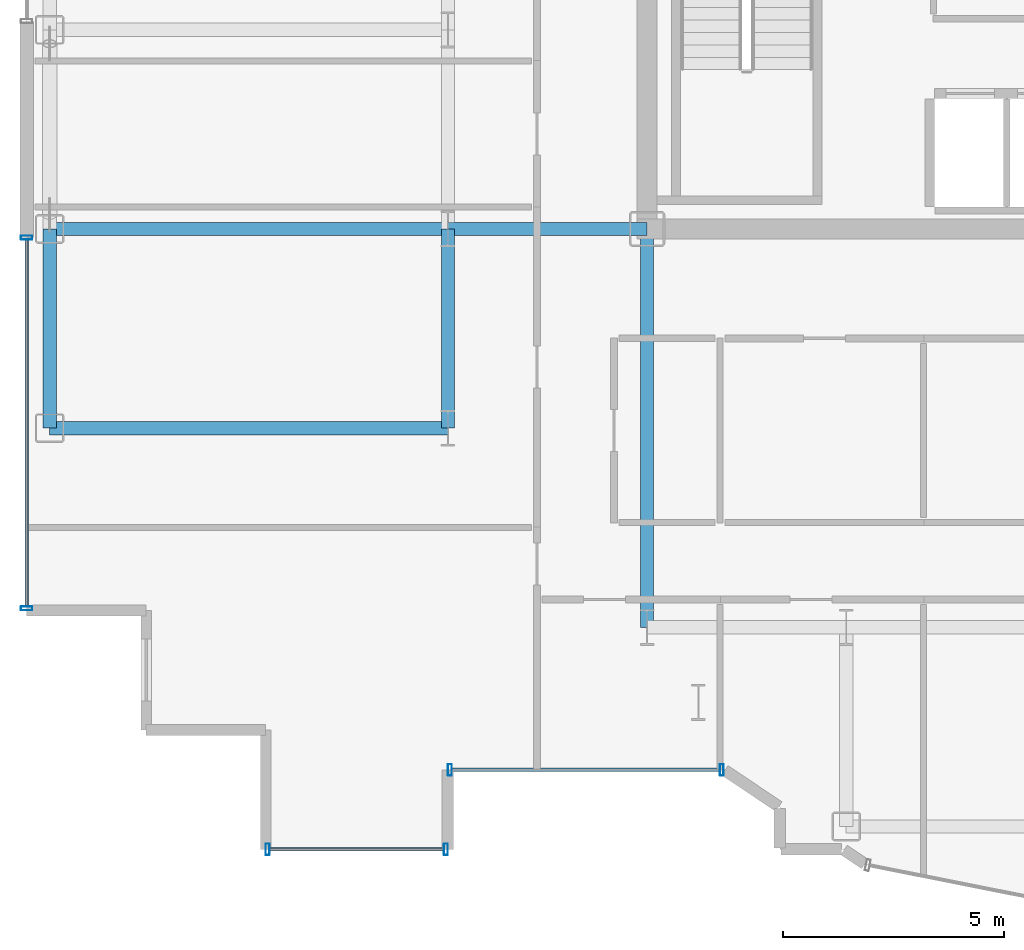
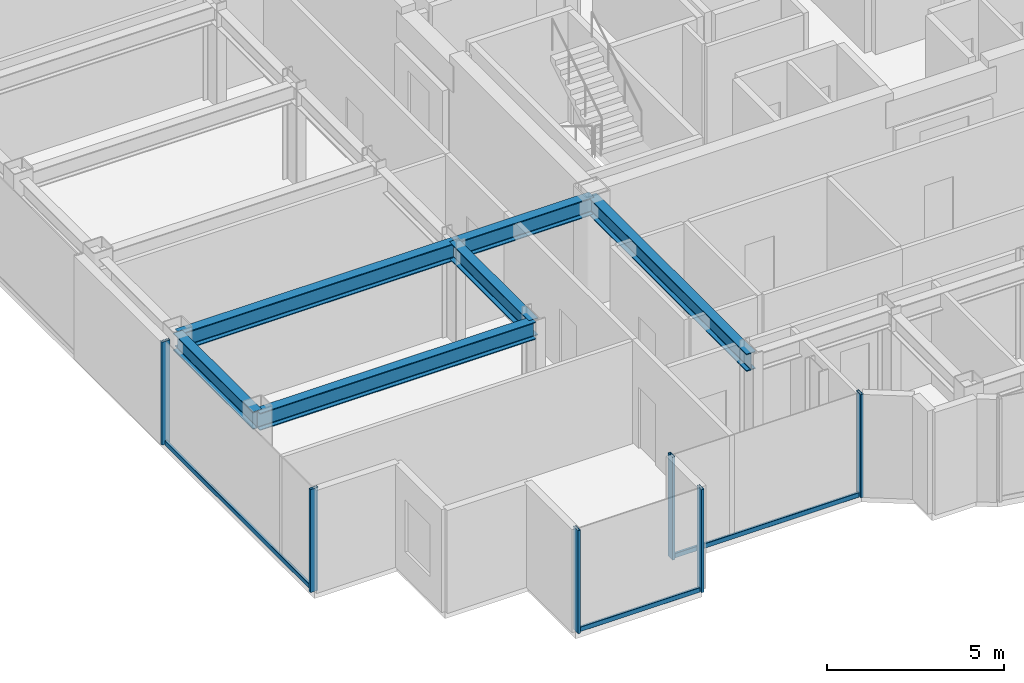
# One storey, part 2 of 21: 9 members, 6 beams, 3 elements without a shape of their own.
"""IFC4 building model written with IfcOpenShell, lengths in metres."""

import ifcopenshell
import ifcopenshell.guid

model = None  # the IFC model being written
_history = None  # IfcOwnerHistory: only IFC2X3 demands one
_inside = {}  # id of a spatial element -> (the spatial element, [elements in it])
_under = {}  # id of a project, library or spatial element -> (it, [spatial elements below it])
_declared = {}  # id of a project -> (the project, [libraries it declares])
_typed = {}  # id of a type object -> (the type object, [elements of that type])
_made_of = {}  # id of a material, layer set ... -> (it, [elements and type objects made of it])


def new_model(schema):
    """Start an empty IFC model of exactly this schema.

    Asked for "IFC4X3", IfcOpenShell would pick the latest addendum, in which some entities
    have other attributes; the version numbers below select the first issue.
    IFC2X3 requires an IfcOwnerHistory on every rooted entity: one is made here for all.
    """
    global model, _history
    if schema == "IFC4X3":
        model = ifcopenshell.file(schema_version=(4, 3, 0, 0))
    else:
        model = ifcopenshell.file(schema=schema)
    _inside.clear()
    _under.clear()
    _declared.clear()
    _typed.clear()
    _made_of.clear()
    _history = None
    if model.schema == "IFC2X3":
        org = make("IfcOrganization", Name="unknown")
        user = make(
            "IfcPersonAndOrganization",
            ThePerson=make("IfcPerson", FamilyName="unknown"),
            TheOrganization=org,
        )
        app = make(
            "IfcApplication",
            ApplicationDeveloper=org,
            Version="unknown",
            ApplicationFullName="unknown",
            ApplicationIdentifier="unknown",
        )
        _history = make(
            "IfcOwnerHistory",
            OwningUser=user,
            OwningApplication=app,
            ChangeAction="ADDED",
            CreationDate=0,
        )
    return model


def make(cls, **values):
    """One entity of the class cls with the attributes given. An attribute that is None is left unset."""
    return model.create_entity(
        cls, **{name: value for name, value in values.items() if value is not None}
    )


def rooted(cls, **values):
    """An entity with a GlobalId (a new one), such as an element, a storey or a relation."""
    return make(cls, GlobalId=ifcopenshell.guid.new(), OwnerHistory=_history, **values)


def si_unit(unit_type, name, prefix=None):
    """IfcSIUnit, for example si_unit("LENGTHUNIT", "METRE", prefix="MILLI")."""
    return make("IfcSIUnit", UnitType=unit_type, Prefix=prefix, Name=name)


def assignment(units):
    """IfcUnitAssignment: the units of a project."""
    return None if units is None else make("IfcUnitAssignment", Units=units)


def point(xyz):
    """IfcCartesianPoint."""
    return None if xyz is None else make("IfcCartesianPoint", Coordinates=xyz)


def direction(xyz):
    """IfcDirection."""
    return None if xyz is None else make("IfcDirection", DirectionRatios=xyz)


def frame(location, z_axis=None, x_axis=None):
    """IfcAxis2Placement3D, a coordinate frame: its origin and axes. An axis left out is left unset."""
    return make(
        "IfcAxis2Placement3D",
        Location=point(location),
        Axis=direction(z_axis),
        RefDirection=direction(x_axis),
    )


def frame_2d(location, x_axis=None):
    """IfcAxis2Placement2D, a coordinate frame in the plane: its origin and x axis."""
    return make(
        "IfcAxis2Placement2D", Location=point(location), RefDirection=direction(x_axis)
    )


def origin():
    """The frame at (0, 0, 0) with its axes left unset."""
    return frame((0.0, 0.0, 0.0))


def origin_2d():
    """The frame at (0, 0) in the plane with its x axis left unset."""
    return frame_2d((0.0, 0.0))


def place(relative_to, where):
    """IfcLocalPlacement: puts the frame where relative to a parent placement (None: the world)."""
    return make(
        "IfcLocalPlacement", PlacementRelTo=relative_to, RelativePlacement=where
    )


def context(
    kind, dimensions, precision=None, world=None, true_north=None, identifier=None
):
    """IfcGeometricRepresentationContext, for example the 3D "Model" context."""
    return make(
        "IfcGeometricRepresentationContext",
        ContextIdentifier=identifier,
        ContextType=kind,
        CoordinateSpaceDimension=dimensions,
        Precision=precision,
        WorldCoordinateSystem=world,
        TrueNorth=true_north,
    )


def subcontext(parent, identifier, kind, view, scale=None):
    """IfcGeometricRepresentationSubContext, for example "Body" below "Model"."""
    return make(
        "IfcGeometricRepresentationSubContext",
        ContextIdentifier=identifier,
        ContextType=kind,
        ParentContext=parent,
        TargetScale=scale,
        TargetView=view,
    )


def project(units=None, contexts=None):
    """IfcProject with its units and contexts."""
    return rooted(
        "IfcProject",
        Name="project",
        RepresentationContexts=contexts,
        UnitsInContext=assignment(units),
    )


def spatial(cls, under=None, at=None, **own):
    """A site, building, storey or space (cls), placed at a placement, below another one or the project."""
    s = rooted(cls, ObjectPlacement=at, **own)
    if under is not None:
        _under.setdefault(under.id(), (under, []))[1].append(s)
    return s


def profile(cls, at=None, kind="AREA", **sizes):
    """A parametric profile (cls). Its sizes go by their IFC names, for example OverallWidth=200.0."""
    return make(cls, ProfileType=kind, Position=at, **sizes)


def hollow_rectangle(**sizes):
    """IfcRectangleHollowProfileDef."""
    return profile("IfcRectangleHollowProfileDef", **sizes)


def i_section(**sizes):
    """IfcIShapeProfileDef."""
    return profile("IfcIShapeProfileDef", **sizes)


def extrude(swept, where, along, depth):
    """IfcExtrudedAreaSolid: the profile swept, set in the frame where, extruded along a direction by depth."""
    return make(
        "IfcExtrudedAreaSolid",
        SweptArea=swept,
        Position=where,
        ExtrudedDirection=direction(along),
        Depth=depth,
    )


def shape(context_of_items, identifier, shape_type, items):
    """IfcShapeRepresentation: the items that make up one representation, for example the "Body"."""
    return make(
        "IfcShapeRepresentation",
        ContextOfItems=context_of_items,
        RepresentationIdentifier=identifier,
        RepresentationType=shape_type,
        Items=items,
    )


def source(mapping_origin, context_of_items, identifier, shape_type, items):
    """IfcRepresentationMap: a shape defined once, which mapped items show again and again."""
    return make(
        "IfcRepresentationMap",
        MappingOrigin=mapping_origin,
        MappedRepresentation=shape(context_of_items, identifier, shape_type, items),
    )


def transform(
    local_origin,
    x_axis=None,
    y_axis=None,
    z_axis=None,
    scale=None,
    scale2=None,
    scale3=None,
    uniform=True,
):
    """IfcCartesianTransformationOperator3D, or its non-uniform kind. x_axis, y_axis, z_axis: its Axis1, 2, 3."""
    if uniform:
        return make(
            "IfcCartesianTransformationOperator3D",
            Axis1=direction(x_axis),
            Axis2=direction(y_axis),
            LocalOrigin=point(local_origin),
            Scale=scale,
            Axis3=direction(z_axis),
        )
    return make(
        "IfcCartesianTransformationOperator3DnonUniform",
        Axis1=direction(x_axis),
        Axis2=direction(y_axis),
        LocalOrigin=point(local_origin),
        Scale=scale,
        Axis3=direction(z_axis),
        Scale2=scale2,
        Scale3=scale3,
    )


def mapped(mapping_source, mapping_target):
    """IfcMappedItem: shows the shape of a source again, moved by a transform."""
    return make(
        "IfcMappedItem", MappingSource=mapping_source, MappingTarget=mapping_target
    )


def material(Name=None, Category=None):
    """IfcMaterial."""
    return make("IfcMaterial", Name=Name, Category=Category)


def layer(
    of_material, thickness, ventilated=None, Name=None, Category=None, Priority=None
):
    """IfcMaterialLayer: one layer of a wall or slab, of a material (None: an air gap)."""
    return make(
        "IfcMaterialLayer",
        Material=of_material,
        LayerThickness=thickness,
        IsVentilated=ventilated,
        Name=Name,
        Category=Category,
        Priority=Priority,
    )


def layer_set(layers, Name=None):
    """IfcMaterialLayerSet."""
    return make("IfcMaterialLayerSet", MaterialLayers=layers, LayerSetName=Name)


def material_profile(
    of_material, cross_section, Name=None, Category=None, Priority=None
):
    """IfcMaterialProfile: a cross section and its material."""
    return make(
        "IfcMaterialProfile",
        Name=Name,
        Material=of_material,
        Profile=cross_section,
        Priority=Priority,
        Category=Category,
    )


def profile_set(profiles, Name=None, composite=None):
    """IfcMaterialProfileSet."""
    return make(
        "IfcMaterialProfileSet",
        Name=Name,
        MaterialProfiles=profiles,
        CompositeProfile=composite,
    )


def made_of(thing, what):
    """Note that an element or type object is made of a material, layer set ...; save() writes the relation."""
    if what is not None:
        _made_of.setdefault(what.id(), (what, []))[1].append(thing)
    return thing


def type_object(cls, material=None, **own):
    """A type object (cls), such as IfcWallType, which elements share."""
    return made_of(rooted(cls, **own), material)


def element(
    cls,
    number,
    at=None,
    inside=None,
    cuts=None,
    type_object=None,
    material=None,
    context=None,
    identifier="Body",
    shape_type=None,
    held_by="IfcProductDefinitionShape",
    body=None,
    shapes=None,
    **own,
):
    """One element of the class cls, such as IfcWall. Its Tag is "e" and its number.

    at: its placement. inside: the storey or other place that contains it. cuts: it is an
    opening in that element (IfcRelVoidsElement). A single representation is given by context,
    identifier, shape_type and body (its items); several are given by shapes. held_by: the class
    of the entity that holds the representations. save() writes the other relations.
    """
    e = rooted(cls, Tag="e%d" % number, ObjectPlacement=at, **own)
    if body is not None:
        shapes = [shape(context, identifier, shape_type, body)]
    if shapes is not None:
        e.Representation = make(held_by, Representations=shapes)
    if inside is not None:
        _inside.setdefault(inside.id(), (inside, []))[1].append(e)
    if cuts is not None:
        rooted(
            "IfcRelVoidsElement", RelatingBuildingElement=cuts, RelatedOpeningElement=e
        )
    if type_object is not None:
        _typed.setdefault(type_object.id(), (type_object, []))[1].append(e)
    return made_of(e, material)


def aggregate(whole, parts):
    """IfcRelAggregates: a whole, such as a stair, and the parts it consists of."""
    return rooted("IfcRelAggregates", RelatingObject=whole, RelatedObjects=parts)


def save(model, path):
    """Write the relations noted so far, then the file.

    IfcRelAggregates (storeys below a building ...), IfcRelContainedInSpatialStructure (elements
    in a storey), IfcRelDefinesByType, IfcRelAssociatesMaterial and IfcRelDeclares: one each for
    every whole, place, type object, material and project.
    """
    for whole, parts in _under.values():
        aggregate(whole, parts)
    for where, things in _inside.values():
        rooted(
            "IfcRelContainedInSpatialStructure",
            RelatedElements=things,
            RelatingStructure=where,
        )
    for kind, things in _typed.values():
        rooted("IfcRelDefinesByType", RelatedObjects=things, RelatingType=kind)
    for what, things in _made_of.values():
        rooted("IfcRelAssociatesMaterial", RelatedObjects=things, RelatingMaterial=what)
    for by, libraries in _declared.values():
        rooted("IfcRelDeclares", RelatingContext=by, RelatedDefinitions=libraries)
    model.write(path)


model = new_model("IFC4")

# Units and contexts
model_context = context("Model", 3, precision=1e-05, world=origin(), true_north=direction((0.0, 1.0)))
body_context = subcontext(model_context, "Body", "Model", "MODEL_VIEW")
ifc_project = project(units=[si_unit("LENGTHUNIT", "METRE"), si_unit("AREAUNIT", "SQUARE_METRE"), si_unit("VOLUMEUNIT", "CUBIC_METRE"), si_unit("PLANEANGLEUNIT", "RADIAN"), si_unit("MASSUNIT", "GRAM", prefix="KILO")], contexts=[model_context])

# Site, building, storey
site_placement = place(None, origin())
site = spatial("IfcSite", under=ifc_project, at=site_placement, CompositionType="ELEMENT")
building_placement = place(site_placement, origin())
building = spatial("IfcBuilding", under=site, at=building_placement, Name="Nefas-Gora Pilgrimage Tower", CompositionType="ELEMENT")
storey_placement = place(building_placement, frame((0.0, 0.0, 229.39990234375)))
storey = spatial("IfcBuildingStorey", under=building, at=storey_placement, Name="L57", CompositionType="ELEMENT", Elevation=229.39990234375)

# Beams
ifc_material_1 = material(Name="Steel S355", Category="steel")
ifc_material_profile_1 = material_profile(ifc_material_1, i_section(OverallWidth=0.300048828125, OverallDepth=0.60009765625, WebThickness=0.015380859375, FlangeThickness=0.030029296875, FilletRadius=0.027099609375, at=origin_2d()), Name="HEB 600")
ifc_profile_set_1 = profile_set([ifc_material_profile_1], Name="Steel S355")
beam_type_1 = type_object("IfcBeamType", Name="BM-SPN-HEB450", PredefinedType="SPANDREL", material=ifc_profile_set_1)
shared_shape_1 = source(origin(), body_context, "Body", "SweptSolid", [
    extrude(i_section(OverallWidth=0.300048828125, OverallDepth=0.60009765625, WebThickness=0.015380859375, FlangeThickness=0.030029296875, FilletRadius=0.027099609375, at=origin_2d()), origin(), (0.0, 0.0, 1.0), 4.5),
])
beam_placement = place(storey_placement, frame((-24.75, -13.5, 3.25), z_axis=(0.0, 1.0, 0.0), x_axis=(-1.0, 0.0, 0.0)))
element("IfcBeam", 1, at=beam_placement, inside=storey, type_object=beam_type_1, Name="L57 SP-03 beam", PredefinedType="SPANDREL", context=body_context, shape_type="MappedRepresentation", body=[
    mapped(shared_shape_1, transform((0.0, 0.0, 0.0), x_axis=(1.0, 0.0, 0.0), y_axis=(0.0, 1.0, 0.0), z_axis=(0.0, 0.0, 1.0), scale=1.0)),
])
ifc_material_profile_2 = material_profile(ifc_material_1, i_section(OverallWidth=0.300048828125, OverallDepth=0.60009765625, WebThickness=0.015380859375, FlangeThickness=0.030029296875, FilletRadius=0.027099609375, at=origin_2d()), Name="HEB 600")
ifc_profile_set_2 = profile_set([ifc_material_profile_2], Name="Steel S355")
beam_type_2 = type_object("IfcBeamType", Name="BM-GIR-HEB600", PredefinedType="BEAM", material=ifc_profile_set_2)
shared_shape_2 = source(origin(), body_context, "Body", "SweptSolid", [
    extrude(i_section(OverallWidth=0.300048828125, OverallDepth=0.60009765625, WebThickness=0.015380859375, FlangeThickness=0.030029296875, FilletRadius=0.027099609375, at=origin_2d()), origin(), (0.0, 0.0, 1.0), 9.0),
])
for number, where, z_axis, x_axis, name in (
    (2, (-24.75, -13.5, 3.25), (1.0, 0.0, 0.0), (0.0, 1.0, 0.0), "L57 G-04 beam"),
    (3, (-24.75, -9.0, 3.25), (1.0, 0.0, 0.0), (0.0, 1.0, 0.0), "L57 G-04 beam"),
    (4, (-11.25, -18.0, 3.25), (0.0, 1.0, 0.0), (-1.0, 0.0, 0.0), "L57 G-04 beam"),
):
    element("IfcBeam", number, at=place(storey_placement, frame(where, z_axis=z_axis, x_axis=x_axis)), inside=storey, type_object=beam_type_2, Name=name, PredefinedType="BEAM", context=body_context, shape_type="MappedRepresentation", body=[
        mapped(shared_shape_2, transform((0.0, 0.0, 0.0), x_axis=(1.0, 0.0, 0.0), y_axis=(0.0, 1.0, 0.0), z_axis=(0.0, 0.0, 1.0), scale=1.0)),
    ])
shared_shape_3 = source(origin(), body_context, "Body", "SweptSolid", [
    extrude(i_section(OverallWidth=0.300048828125, OverallDepth=0.60009765625, WebThickness=0.015380859375, FlangeThickness=0.030029296875, FilletRadius=0.027099609375, at=origin_2d()), origin(), (0.0, 0.0, 1.0), 4.5),
])
for number, where, z_axis, x_axis, name in (
    (5, (-15.75, -13.5, 3.25), (0.0, 1.0, 0.0), (-1.0, 0.0, 0.0), "L57 G-04 beam"),
    (6, (-15.75, -9.0, 3.25), (1.0, 0.0, 0.0), (0.0, 1.0, 0.0), "L57 G-04 beam"),
):
    element("IfcBeam", number, at=place(storey_placement, frame(where, z_axis=z_axis, x_axis=x_axis)), inside=storey, type_object=beam_type_2, Name=name, PredefinedType="BEAM", context=body_context, shape_type="MappedRepresentation", body=[
        mapped(shared_shape_3, transform((0.0, 0.0, 0.0), x_axis=(1.0, 0.0, 0.0), y_axis=(0.0, 1.0, 0.0), z_axis=(0.0, 0.0, 1.0), scale=1.0)),
    ])

# Curtain wall, members
ifc_material_2 = material(Name="Dark ceramic-fritted solar-control aluminium-glass curtain wall", Category="aluminium")
ifc_layer_1 = layer(ifc_material_2, 0.219970703125)
ifc_layer_set_1 = layer_set([ifc_layer_1], Name="Dark ceramic-fritted solar-control aluminium-glass curtain wall")
curtain_wall_type_1 = type_object("IfcCurtainWallType", Name="CW-SYS-5", PredefinedType="NOTDEFINED", material=ifc_layer_set_1)
curtain_wall_1_placement = place(storey_placement, origin())
curtain_wall_1 = element("IfcCurtainWall", 7, at=curtain_wall_1_placement, inside=storey, type_object=curtain_wall_type_1, Name="L57 Unitised Curtain Wall CW5", PredefinedType="NOTDEFINED")
ifc_material_3 = material(Name="Anodised architectural aluminium", Category="aluminium")
ifc_material_profile_3 = material_profile(ifc_material_3, hollow_rectangle(XDim=0.090087890625, YDim=0.260009765625, WallThickness=0.006103515625, InnerFilletRadius=0.006103515625, OuterFilletRadius=0.011962890625, at=origin_2d()), Name="ALU MULLION 90x260")
ifc_profile_set_3 = profile_set([ifc_material_profile_3], Name="Anodised architectural aluminium")
member_type_1 = type_object("IfcMemberType", Name="CWM-MUL-5", PredefinedType="MULLION", material=ifc_profile_set_3)
shared_shape_4 = source(origin(), body_context, "Body", "SweptSolid", [
    extrude(hollow_rectangle(XDim=0.090087890625, YDim=0.260009765625, WallThickness=0.006103515625, InnerFilletRadius=0.006103515625, OuterFilletRadius=0.011962890625, at=origin_2d()), origin(), (0.0, 0.0, 1.0), 3.550048828125),
])
member_1_placement = place(storey_placement, frame((-15.705078125, -21.219970703125, 0.0), z_axis=(0.0, 0.0, 1.0), x_axis=(1.0, 0.0, 0.0)))
member_1 = element("IfcMember", 8, at=member_1_placement, type_object=member_type_1, Name="CW5 Mullion 1", PredefinedType="MULLION", context=body_context, shape_type="MappedRepresentation", body=[
    mapped(shared_shape_4, transform((0.0, 0.0, 0.0), x_axis=(1.0, 0.0, 0.0), y_axis=(0.0, 1.0, 0.0), z_axis=(0.0, 0.0, 1.0), scale=1.0)),
])
member_2_placement = place(storey_placement, frame((-9.56298828125, -21.219970703125, 0.0), z_axis=(0.0, 0.0, 1.0), x_axis=(1.0, 0.0, 0.0)))
member_2 = element("IfcMember", 9, at=member_2_placement, type_object=member_type_1, Name="CW5 Mullion 2", PredefinedType="MULLION", context=body_context, shape_type="MappedRepresentation", body=[
    mapped(shared_shape_4, transform((0.0, 0.0, 0.0), x_axis=(1.0, 0.0, 0.0), y_axis=(0.0, 1.0, 0.0), z_axis=(0.0, 0.0, 1.0), scale=1.0)),
])
ifc_material_profile_4 = material_profile(ifc_material_3, hollow_rectangle(XDim=0.080078125, YDim=0.159912109375, WallThickness=0.00439453125, InnerFilletRadius=0.00439453125, OuterFilletRadius=0.009033203125, at=origin_2d()), Name="ALU TRANSOM 80x160")
ifc_profile_set_4 = profile_set([ifc_material_profile_4], Name="Anodised architectural aluminium")
member_type_2 = type_object("IfcMemberType", Name="CWM-TRN-5", PredefinedType="USERDEFINED", material=ifc_profile_set_4)
shared_shape_5 = source(origin(), body_context, "Body", "SweptSolid", [
    extrude(hollow_rectangle(XDim=0.080078125, YDim=0.159912109375, WallThickness=0.00439453125, InnerFilletRadius=0.00439453125, OuterFilletRadius=0.009033203125, at=origin_2d()), origin(), (0.0, 0.0, 1.0), 6.052001953125),
])
member_3_placement = place(storey_placement, frame((-15.659912109375, -21.219970703125, 0.050048828125), z_axis=(1.0, 0.0, 0.0), x_axis=(0.0, 1.0, 0.0)))
member_3 = element("IfcMember", 10, at=member_3_placement, type_object=member_type_2, Name="CW5 Spandrel Transom", ObjectType="TRANSOM", PredefinedType="USERDEFINED", context=body_context, shape_type="MappedRepresentation", body=[
    mapped(shared_shape_5, transform((0.0, 0.0, 0.0), x_axis=(1.0, 0.0, 0.0), y_axis=(0.0, 1.0, 0.0), z_axis=(0.0, 0.0, 1.0), scale=1.0)),
])
aggregate(curtain_wall_1, [member_1, member_2, member_3])

ifc_layer_2 = layer(ifc_material_2, 0.219970703125)
ifc_layer_set_2 = layer_set([ifc_layer_2], Name="Dark ceramic-fritted solar-control aluminium-glass curtain wall")
curtain_wall_type_2 = type_object("IfcCurtainWallType", Name="CW-SYS-3", PredefinedType="NOTDEFINED", material=ifc_layer_set_2)
curtain_wall_2_placement = place(storey_placement, origin())
curtain_wall_2 = element("IfcCurtainWall", 11, at=curtain_wall_2_placement, inside=storey, type_object=curtain_wall_type_2, Name="L57 Unitised Curtain Wall CW3", PredefinedType="NOTDEFINED")
ifc_material_profile_5 = material_profile(ifc_material_3, hollow_rectangle(XDim=0.090087890625, YDim=0.260009765625, WallThickness=0.006103515625, InnerFilletRadius=0.006103515625, OuterFilletRadius=0.011962890625, at=origin_2d()), Name="ALU MULLION 90x260")
ifc_profile_set_5 = profile_set([ifc_material_profile_5], Name="Anodised architectural aluminium")
member_type_3 = type_object("IfcMemberType", Name="CWM-MUL-3", PredefinedType="MULLION", material=ifc_profile_set_5)
shared_shape_6 = source(origin(), body_context, "Body", "SweptSolid", [
    extrude(hollow_rectangle(XDim=0.090087890625, YDim=0.260009765625, WallThickness=0.006103515625, InnerFilletRadius=0.006103515625, OuterFilletRadius=0.011962890625, at=origin_2d()), origin(), (0.0, 0.0, 1.0), 3.550048828125),
])
member_4_placement = place(storey_placement, frame((-25.27001953125, -9.195068359375, 0.0), z_axis=(0.0, 0.0, 1.0), x_axis=(0.0, -1.0, 0.0)))
member_4 = element("IfcMember", 12, at=member_4_placement, type_object=member_type_3, Name="CW3 Mullion 1", PredefinedType="MULLION", context=body_context, shape_type="MappedRepresentation", body=[
    mapped(shared_shape_6, transform((0.0, 0.0, 0.0), x_axis=(1.0, 0.0, 0.0), y_axis=(0.0, 1.0, 0.0), z_axis=(0.0, 0.0, 1.0), scale=1.0)),
])
member_5_placement = place(storey_placement, frame((-25.27001953125, -17.574951171875, 0.0), z_axis=(0.0, 0.0, 1.0), x_axis=(0.0, -1.0, 0.0)))
member_5 = element("IfcMember", 13, at=member_5_placement, type_object=member_type_3, Name="CW3 Mullion 2", PredefinedType="MULLION", context=body_context, shape_type="MappedRepresentation", body=[
    mapped(shared_shape_6, transform((0.0, 0.0, 0.0), x_axis=(1.0, 0.0, 0.0), y_axis=(0.0, 1.0, 0.0), z_axis=(0.0, 0.0, 1.0), scale=1.0)),
])

curtain_wall_3_placement = place(storey_placement, origin())
curtain_wall_3 = element("IfcCurtainWall", 14, at=curtain_wall_3_placement, inside=storey, type_object=curtain_wall_type_2, Name="L57 Unitised Curtain Wall CW3", PredefinedType="NOTDEFINED")
member_6_placement = place(storey_placement, frame((-19.824951171875, -23.02001953125, 0.0), z_axis=(0.0, 0.0, 1.0), x_axis=(1.0, 0.0, 0.0)))
member_6 = element("IfcMember", 15, at=member_6_placement, type_object=member_type_3, Name="CW3 Mullion 1", PredefinedType="MULLION", context=body_context, shape_type="MappedRepresentation", body=[
    mapped(shared_shape_6, transform((0.0, 0.0, 0.0), x_axis=(1.0, 0.0, 0.0), y_axis=(0.0, 1.0, 0.0), z_axis=(0.0, 0.0, 1.0), scale=1.0)),
])
member_7_placement = place(storey_placement, frame((-15.794921875, -23.02001953125, 0.0), z_axis=(0.0, 0.0, 1.0), x_axis=(1.0, 0.0, 0.0)))
member_7 = element("IfcMember", 16, at=member_7_placement, type_object=member_type_3, Name="CW3 Mullion 2", PredefinedType="MULLION", context=body_context, shape_type="MappedRepresentation", body=[
    mapped(shared_shape_6, transform((0.0, 0.0, 0.0), x_axis=(1.0, 0.0, 0.0), y_axis=(0.0, 1.0, 0.0), z_axis=(0.0, 0.0, 1.0), scale=1.0)),
])

# Member
ifc_material_profile_6 = material_profile(ifc_material_3, hollow_rectangle(XDim=0.080078125, YDim=0.159912109375, WallThickness=0.00439453125, InnerFilletRadius=0.00439453125, OuterFilletRadius=0.009033203125, at=origin_2d()), Name="ALU TRANSOM 80x160")
ifc_profile_set_6 = profile_set([ifc_material_profile_6], Name="Anodised architectural aluminium")
member_type_4 = type_object("IfcMemberType", Name="CWM-TRN-3", PredefinedType="USERDEFINED", material=ifc_profile_set_6)
shared_shape_7 = source(origin(), body_context, "Body", "SweptSolid", [
    extrude(hollow_rectangle(XDim=0.080078125, YDim=0.159912109375, WallThickness=0.00439453125, InnerFilletRadius=0.00439453125, OuterFilletRadius=0.009033203125, at=origin_2d()), origin(), (0.0, 0.0, 1.0), 8.2900390625),
])
member_8_placement = place(storey_placement, frame((-25.27001953125, -9.239990234375, 0.050048828125), z_axis=(0.0, -1.0, 0.0), x_axis=(1.0, 0.0, 0.0)))
member_8 = element("IfcMember", 17, at=member_8_placement, type_object=member_type_4, Name="CW3 Spandrel Transom", ObjectType="TRANSOM", PredefinedType="USERDEFINED", context=body_context, shape_type="MappedRepresentation", body=[
    mapped(shared_shape_7, transform((0.0, 0.0, 0.0), x_axis=(1.0, 0.0, 0.0), y_axis=(0.0, 1.0, 0.0), z_axis=(0.0, 0.0, 1.0), scale=1.0)),
])

aggregate(curtain_wall_2, [member_4, member_5, member_8])

shared_shape_8 = source(origin(), body_context, "Body", "SweptSolid", [
    extrude(hollow_rectangle(XDim=0.080078125, YDim=0.159912109375, WallThickness=0.00439453125, InnerFilletRadius=0.00439453125, OuterFilletRadius=0.009033203125, at=origin_2d()), origin(), (0.0, 0.0, 1.0), 3.93994140625),
])
member_9_placement = place(storey_placement, frame((-19.780029296875, -23.02001953125, 0.050048828125), z_axis=(1.0, 0.0, 0.0), x_axis=(0.0, 1.0, 0.0)))
member_9 = element("IfcMember", 18, at=member_9_placement, type_object=member_type_4, Name="CW3 Spandrel Transom", ObjectType="TRANSOM", PredefinedType="USERDEFINED", context=body_context, shape_type="MappedRepresentation", body=[
    mapped(shared_shape_8, transform((0.0, 0.0, 0.0), x_axis=(1.0, 0.0, 0.0), y_axis=(0.0, 1.0, 0.0), z_axis=(0.0, 0.0, 1.0), scale=1.0)),
])

aggregate(curtain_wall_3, [member_6, member_7, member_9])

save(model, "model.ifc")
